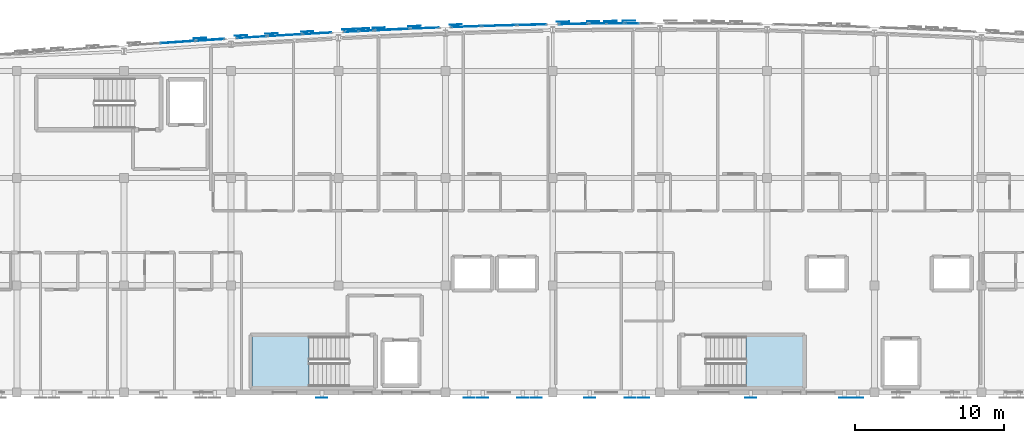
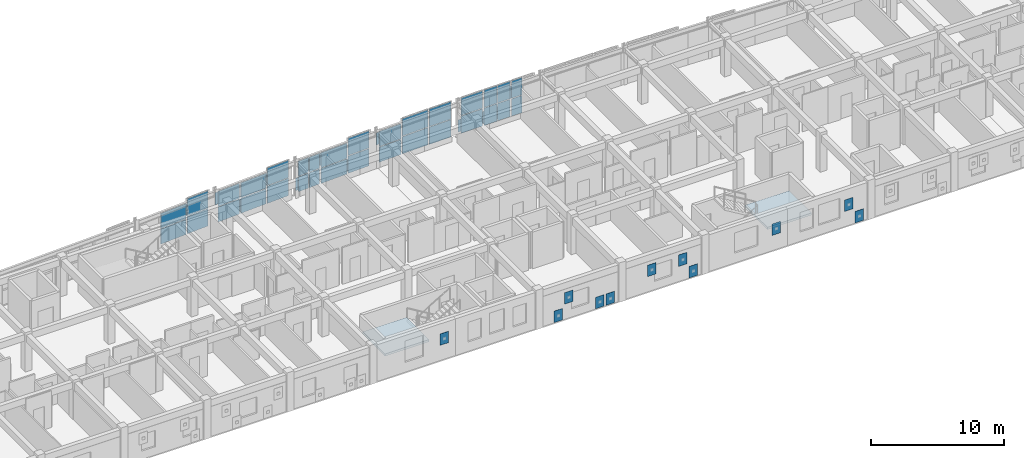
# One storey, part 34 of 51: 56 plates, 2 slabs, 16 elements without a shape of their own.
"""IFC4 building model written with IfcOpenShell, lengths in metres."""

from ifc_helpers import new_model, si_unit, direction, frame, origin, origin_2d, place, context, subcontext, project, spatial, polyline, rectangle, outline, extrude, material, layer, layer_set, type_object, element, aggregate, save


model = new_model("IFC4")

# Units and contexts
model_context = context("Model", 3, precision=1e-05, world=origin(), true_north=direction((0.0, 1.0)))
body_context = subcontext(model_context, "Body", "Model", "MODEL_VIEW")
ifc_project = project(units=[si_unit("LENGTHUNIT", "METRE"), si_unit("AREAUNIT", "SQUARE_METRE"), si_unit("VOLUMEUNIT", "CUBIC_METRE"), si_unit("PLANEANGLEUNIT", "RADIAN"), si_unit("MASSUNIT", "GRAM", prefix="KILO")], contexts=[model_context])

# Site, building, storey
site_placement = place(None, origin())
site = spatial("IfcSite", under=ifc_project, at=site_placement, CompositionType="ELEMENT")
building_placement = place(site_placement, origin())
building = spatial("IfcBuilding", under=site, at=building_placement, Name="Carrowvane Square Congress Hotel", CompositionType="ELEMENT")
storey_placement = place(building_placement, frame((0.0, 0.0, 30.0)))
storey = spatial("IfcBuildingStorey", under=building, at=storey_placement, Name="L07", CompositionType="ELEMENT", Elevation=30.0)

# Curtain wall, plates
ifc_material_1 = material(Name="Anodised aluminium", Category="aluminium")
ifc_layer_1 = layer(ifc_material_1, 0.2099609375)
ifc_layer_set_1 = layer_set([ifc_layer_1], Name="Anodised aluminium")
curtain_wall_type_1 = type_object("IfcCurtainWallType", Name="CW-SYS-5", PredefinedType="NOTDEFINED", material=ifc_layer_set_1)
curtain_wall_1_placement = place(storey_placement, origin())
curtain_wall_1 = element("IfcCurtainWall", 1, at=curtain_wall_1_placement, inside=storey, type_object=curtain_wall_type_1, Name="L07 unitised curtain wall 420", PredefinedType="NOTDEFINED")
ifc_material_2 = material(Name="Double-glazed low-E glass", Category="glass")
ifc_layer_2 = layer(ifc_material_2, 0.028076171875)
ifc_layer_set_2 = layer_set([ifc_layer_2], Name="Double-glazed low-E glass")
plate_type_1 = type_object("IfcPlateType", Name="CW-PAN-1", PredefinedType="CURTAIN_PANEL", material=ifc_layer_set_2)
plate_1_placement = place(storey_placement, frame((70.580078125, 115.66064453125, 0.06005859375), z_axis=(0.0, 0.0, 1.0), x_axis=(0.998051378998, 0.062397474952, 0.0)))
plate_1 = element("IfcPlate", 2, at=plate_1_placement, type_object=plate_type_1, Name="CW-5 panel 1.1", PredefinedType="CURTAIN_PANEL", context=body_context, shape_type="SweptSolid", body=[
    extrude(rectangle(XDim=1.924072265625, YDim=0.028076171875, at=origin_2d()), origin(), (0.0, 0.0, 1.0), 1.377685546875),
])
plate_2_placement = place(storey_placement, frame((70.580078125, 115.66064453125, 1.498046875), z_axis=(0.0, 0.0, 1.0), x_axis=(0.998051378998, 0.062397474952, 0.0)))
plate_2 = element("IfcPlate", 3, at=plate_2_placement, type_object=plate_type_1, Name="CW-5 panel 1.2", PredefinedType="CURTAIN_PANEL", context=body_context, shape_type="SweptSolid", body=[
    extrude(rectangle(XDim=1.924072265625, YDim=0.028076171875, at=origin_2d()), origin(), (0.0, 0.0, 1.0), 1.377685546875),
])
aggregate(curtain_wall_1, [plate_1, plate_2])

ifc_material_3 = material(Name="Anodised aluminium", Category="aluminium")
ifc_layer_3 = layer(ifc_material_3, 0.174072265625)
ifc_layer_set_3 = layer_set([ifc_layer_3], Name="Anodised aluminium")
curtain_wall_type_2 = type_object("IfcCurtainWallType", Name="CW-SYS-2", PredefinedType="NOTDEFINED", material=ifc_layer_set_3)
curtain_wall_2_placement = place(storey_placement, origin())
curtain_wall_2 = element("IfcCurtainWall", 4, at=curtain_wall_2_placement, inside=storey, type_object=curtain_wall_type_2, Name="L07 unitised curtain wall 425", PredefinedType="NOTDEFINED")
plate_3_placement = place(storey_placement, frame((82.200439453125, 116.267822265625, 0.06982421875), z_axis=(0.0, 0.0, 1.0), x_axis=(0.999194236464, 0.040135742379, 0.0)))
plate_3 = element("IfcPlate", 5, at=plate_3_placement, type_object=plate_type_1, Name="CW-2 panel 1.1", PredefinedType="CURTAIN_PANEL", context=body_context, shape_type="SweptSolid", body=[
    extrude(rectangle(XDim=1.86279296875, YDim=0.028076171875, at=origin_2d()), origin(), (0.0, 0.0, 1.0), 1.574951171875),
])
plate_4_placement = place(storey_placement, frame((82.200439453125, 116.267822265625, 1.71484375), z_axis=(0.0, 0.0, 1.0), x_axis=(0.999194236464, 0.040135742379, 0.0)))
plate_4 = element("IfcPlate", 6, at=plate_4_placement, type_object=plate_type_1, Name="CW-2 panel 1.2", PredefinedType="CURTAIN_PANEL", context=body_context, shape_type="SweptSolid", body=[
    extrude(rectangle(XDim=1.86279296875, YDim=0.028076171875, at=origin_2d()), origin(), (0.0, 0.0, 1.0), 1.574951171875),
])
aggregate(curtain_wall_2, [plate_3, plate_4])

ifc_material_4 = material(Name="Anodised aluminium", Category="aluminium")
ifc_layer_4 = layer(ifc_material_4, 0.23388671875)
ifc_layer_set_4 = layer_set([ifc_layer_4], Name="Anodised aluminium")
curtain_wall_type_3 = type_object("IfcCurtainWallType", Name="CW-SYS-7", PredefinedType="NOTDEFINED", material=ifc_layer_set_4)
curtain_wall_3_placement = place(storey_placement, origin())
curtain_wall_3 = element("IfcCurtainWall", 7, at=curtain_wall_3_placement, inside=storey, type_object=curtain_wall_type_3, Name="L07 unitised curtain wall 430", PredefinedType="NOTDEFINED")
plate_5_placement = place(storey_placement, frame((93.81494140625, 116.57470703125, 0.06005859375), z_axis=(0.0, 0.0, 1.0), x_axis=(0.999952146231, 0.009782905924, 0.0)))
plate_5 = element("IfcPlate", 8, at=plate_5_placement, type_object=plate_type_1, Name="CW-7 panel 1.1", PredefinedType="CURTAIN_PANEL", context=body_context, shape_type="SweptSolid", body=[
    extrude(rectangle(XDim=1.110107421875, YDim=0.028076171875, at=origin_2d()), origin(), (0.0, 0.0, 1.0), 1.590087890625),
])
plate_6_placement = place(storey_placement, frame((93.81494140625, 116.57470703125, 1.7099609375), z_axis=(0.0, 0.0, 1.0), x_axis=(0.999952146231, 0.009782905924, 0.0)))
plate_6 = element("IfcPlate", 9, at=plate_6_placement, type_object=plate_type_1, Name="CW-7 panel 1.2", PredefinedType="CURTAIN_PANEL", context=body_context, shape_type="SweptSolid", body=[
    extrude(rectangle(XDim=1.110107421875, YDim=0.028076171875, at=origin_2d()), origin(), (0.0, 0.0, 1.0), 1.590087890625),
])
plate_7_placement = place(storey_placement, frame((94.985107421875, 116.586181640625, 0.06005859375), z_axis=(0.0, 0.0, 1.0), x_axis=(0.999952146231, 0.009782905924, 0.0)))
plate_7 = element("IfcPlate", 10, at=plate_7_placement, type_object=plate_type_1, Name="CW-7 panel 2.1", PredefinedType="CURTAIN_PANEL", context=body_context, shape_type="SweptSolid", body=[
    extrude(rectangle(XDim=1.110107421875, YDim=0.028076171875, at=origin_2d()), origin(), (0.0, 0.0, 1.0), 1.590087890625),
])
plate_8_placement = place(storey_placement, frame((94.985107421875, 116.586181640625, 1.7099609375), z_axis=(0.0, 0.0, 1.0), x_axis=(0.999952146231, 0.009782905924, 0.0)))
plate_8 = element("IfcPlate", 11, at=plate_8_placement, type_object=plate_type_1, Name="CW-7 panel 2.2", PredefinedType="CURTAIN_PANEL", context=body_context, shape_type="SweptSolid", body=[
    extrude(rectangle(XDim=1.110107421875, YDim=0.028076171875, at=origin_2d()), origin(), (0.0, 0.0, 1.0), 1.590087890625),
])
aggregate(curtain_wall_3, [plate_5, plate_6, plate_7, plate_8])

ifc_material_5 = material(Name="Anodised aluminium", Category="aluminium")
ifc_layer_5 = layer(ifc_material_5, 0.221923828125)
ifc_layer_set_5 = layer_set([ifc_layer_5], Name="Anodised aluminium")
curtain_wall_type_4 = type_object("IfcCurtainWallType", Name="CW-SYS-6", PredefinedType="NOTDEFINED", material=ifc_layer_set_5)
curtain_wall_4_placement = place(storey_placement, origin())
curtain_wall_4 = element("IfcCurtainWall", 12, at=curtain_wall_4_placement, inside=storey, type_object=curtain_wall_type_4, Name="L07 unitised curtain wall 421", PredefinedType="NOTDEFINED")
ifc_material_6 = material(Name="Double-glazed low-E glass", Category="glass")
ifc_layer_6 = layer(ifc_material_6, 0.031982421875)
ifc_layer_set_6 = layer_set([ifc_layer_6], Name="Double-glazed low-E glass")
plate_type_2 = type_object("IfcPlateType", Name="CW-PAN-2", PredefinedType="CURTAIN_PANEL", material=ifc_layer_set_6)
plate_9_placement = place(storey_placement, frame((72.800048828125, 115.795166015625, 0.070068359375), z_axis=(0.0, 0.0, 1.0), x_axis=(0.998266763162, 0.058851249486, 0.0)))
plate_9 = element("IfcPlate", 13, at=plate_9_placement, type_object=plate_type_2, Name="CW-6 panel 1.1", PredefinedType="CURTAIN_PANEL", context=body_context, shape_type="SweptSolid", body=[
    extrude(rectangle(XDim=2.26416015625, YDim=0.031982421875, at=origin_2d()), origin(), (0.0, 0.0, 1.0), 1.36279296875),
])
plate_10_placement = place(storey_placement, frame((72.800048828125, 115.795166015625, 1.502685546875), z_axis=(0.0, 0.0, 1.0), x_axis=(0.998266763162, 0.058851249486, 0.0)))
plate_10 = element("IfcPlate", 14, at=plate_10_placement, type_object=plate_type_2, Name="CW-6 panel 1.2", PredefinedType="CURTAIN_PANEL", context=body_context, shape_type="SweptSolid", body=[
    extrude(rectangle(XDim=2.26416015625, YDim=0.031982421875, at=origin_2d()), origin(), (0.0, 0.0, 1.0), 1.36279296875),
])
aggregate(curtain_wall_4, [plate_9, plate_10])

ifc_material_7 = material(Name="Anodised aluminium", Category="aluminium")
ifc_layer_7 = layer(ifc_material_7, 0.18603515625)
ifc_layer_set_7 = layer_set([ifc_layer_7], Name="Anodised aluminium")
curtain_wall_type_5 = type_object("IfcCurtainWallType", Name="CW-SYS-3", PredefinedType="NOTDEFINED", material=ifc_layer_set_7)
curtain_wall_5_placement = place(storey_placement, origin())
curtain_wall_5 = element("IfcCurtainWall", 15, at=curtain_wall_5_placement, inside=storey, type_object=curtain_wall_type_5, Name="L07 unitised curtain wall 426", PredefinedType="NOTDEFINED")
plate_11_placement = place(storey_placement, frame((84.9853515625, 116.371826171875, 0.06005859375), z_axis=(0.0, 0.0, 1.0), x_axis=(0.999403774749, 0.034526729036, 0.0)))
plate_11 = element("IfcPlate", 16, at=plate_11_placement, type_object=plate_type_2, Name="CW-3 panel 1.1", PredefinedType="CURTAIN_PANEL", context=body_context, shape_type="SweptSolid", body=[
    extrude(rectangle(XDim=1.91064453125, YDim=0.031982421875, at=origin_2d()), origin(), (0.0, 0.0, 1.0), 1.377685546875),
])
plate_12_placement = place(storey_placement, frame((84.9853515625, 116.371826171875, 1.498046875), z_axis=(0.0, 0.0, 1.0), x_axis=(0.999403774749, 0.034526729036, 0.0)))
plate_12 = element("IfcPlate", 17, at=plate_12_placement, type_object=plate_type_2, Name="CW-3 panel 1.2", PredefinedType="CURTAIN_PANEL", context=body_context, shape_type="SweptSolid", body=[
    extrude(rectangle(XDim=1.91064453125, YDim=0.031982421875, at=origin_2d()), origin(), (0.0, 0.0, 1.0), 1.377685546875),
])
aggregate(curtain_wall_5, [plate_11, plate_12])

ifc_material_8 = material(Name="Anodised aluminium", Category="aluminium")
ifc_layer_8 = layer(ifc_material_8, 0.24609375)
ifc_layer_set_8 = layer_set([ifc_layer_8], Name="Anodised aluminium")
curtain_wall_type_6 = type_object("IfcCurtainWallType", Name="CW-SYS-8", PredefinedType="NOTDEFINED", material=ifc_layer_set_8)
curtain_wall_6_placement = place(storey_placement, origin())
curtain_wall_6 = element("IfcCurtainWall", 18, at=curtain_wall_6_placement, inside=storey, type_object=curtain_wall_type_6, Name="L07 unitised curtain wall 431", PredefinedType="NOTDEFINED")
plate_13_placement = place(storey_placement, frame((96.121337890625, 116.59375, 0.06982421875), z_axis=(0.0, 0.0, 1.0), x_axis=(0.999994652529, 0.003270307911, 0.0)))
plate_13 = element("IfcPlate", 19, at=plate_13_placement, type_object=plate_type_2, Name="CW-8 panel 1.1", PredefinedType="CURTAIN_PANEL", context=body_context, shape_type="SweptSolid", body=[
    extrude(rectangle(XDim=0.902587890625, YDim=0.031982421875, at=origin_2d()), origin(), (0.0, 0.0, 1.0), 1.574951171875),
])
plate_14_placement = place(storey_placement, frame((96.121337890625, 116.59375, 1.71484375), z_axis=(0.0, 0.0, 1.0), x_axis=(0.999994652529, 0.003270307911, 0.0)))
plate_14 = element("IfcPlate", 20, at=plate_14_placement, type_object=plate_type_2, Name="CW-8 panel 1.2", PredefinedType="CURTAIN_PANEL", context=body_context, shape_type="SweptSolid", body=[
    extrude(rectangle(XDim=0.902587890625, YDim=0.031982421875, at=origin_2d()), origin(), (0.0, 0.0, 1.0), 1.574951171875),
])
aggregate(curtain_wall_6, [plate_13, plate_14])

curtain_wall_7_placement = place(storey_placement, origin())
curtain_wall_7 = element("IfcCurtainWall", 21, at=curtain_wall_7_placement, inside=storey, type_object=curtain_wall_type_3, Name="L07 unitised curtain wall 422", PredefinedType="NOTDEFINED")
ifc_material_9 = material(Name="Double-glazed low-E glass", Category="glass")
ifc_layer_9 = layer(ifc_material_9, 0.035888671875)
ifc_layer_set_9 = layer_set([ifc_layer_9], Name="Double-glazed low-E glass")
plate_type_3 = type_object("IfcPlateType", Name="CW-PAN-3", PredefinedType="CURTAIN_PANEL", material=ifc_layer_set_9)
plate_15_placement = place(storey_placement, frame((74.997802734375, 115.920654296875, 0.06005859375), z_axis=(0.0, 0.0, 1.0), x_axis=(0.998496473856, 0.054815980317, 0.0)))
plate_15 = element("IfcPlate", 22, at=plate_15_placement, type_object=plate_type_3, Name="CW-7 panel 1.1", PredefinedType="CURTAIN_PANEL", context=body_context, shape_type="SweptSolid", body=[
    extrude(rectangle(XDim=1.87841796875, YDim=0.035888671875, at=origin_2d()), origin(), (0.0, 0.0, 1.0), 1.590087890625),
])
plate_16_placement = place(storey_placement, frame((74.997802734375, 115.920654296875, 1.7099609375), z_axis=(0.0, 0.0, 1.0), x_axis=(0.998496473856, 0.054815980317, 0.0)))
plate_16 = element("IfcPlate", 23, at=plate_16_placement, type_object=plate_type_3, Name="CW-7 panel 1.2", PredefinedType="CURTAIN_PANEL", context=body_context, shape_type="SweptSolid", body=[
    extrude(rectangle(XDim=1.87841796875, YDim=0.035888671875, at=origin_2d()), origin(), (0.0, 0.0, 1.0), 1.590087890625),
])
aggregate(curtain_wall_7, [plate_15, plate_16])

ifc_material_10 = material(Name="Anodised aluminium", Category="aluminium")
ifc_layer_10 = layer(ifc_material_10, 0.197998046875)
ifc_layer_set_10 = layer_set([ifc_layer_10], Name="Anodised aluminium")
curtain_wall_type_7 = type_object("IfcCurtainWallType", Name="CW-SYS-4", PredefinedType="NOTDEFINED", material=ifc_layer_set_10)
curtain_wall_8_placement = place(storey_placement, origin())
curtain_wall_8 = element("IfcCurtainWall", 24, at=curtain_wall_8_placement, inside=storey, type_object=curtain_wall_type_7, Name="L07 unitised curtain wall 427", PredefinedType="NOTDEFINED")
plate_17_placement = place(storey_placement, frame((87.199951171875, 116.44140625, 0.06982421875), z_axis=(0.0, 0.0, 1.0), x_axis=(0.999589848065, 0.028638010501, 0.0)))
plate_17 = element("IfcPlate", 25, at=plate_17_placement, type_object=plate_type_3, Name="CW-4 panel 1.1", PredefinedType="CURTAIN_PANEL", context=body_context, shape_type="SweptSolid", body=[
    extrude(rectangle(XDim=2.260986328125, YDim=0.035888671875, at=origin_2d()), origin(), (0.0, 0.0, 1.0), 1.574951171875),
])
plate_18_placement = place(storey_placement, frame((87.199951171875, 116.44140625, 1.71484375), z_axis=(0.0, 0.0, 1.0), x_axis=(0.999589848065, 0.028638010501, 0.0)))
plate_18 = element("IfcPlate", 26, at=plate_18_placement, type_object=plate_type_3, Name="CW-4 panel 1.2", PredefinedType="CURTAIN_PANEL", context=body_context, shape_type="SweptSolid", body=[
    extrude(rectangle(XDim=2.260986328125, YDim=0.035888671875, at=origin_2d()), origin(), (0.0, 0.0, 1.0), 1.574951171875),
])
aggregate(curtain_wall_8, [plate_17, plate_18])

curtain_wall_9_placement = place(storey_placement, origin())
curtain_wall_9 = element("IfcCurtainWall", 27, at=curtain_wall_9_placement, inside=storey, type_object=curtain_wall_type_5, Name="L07 unitised curtain wall 418", PredefinedType="NOTDEFINED")
ifc_material_11 = material(Name="Double-glazed low-E glass", Category="glass")
ifc_layer_11 = layer(ifc_material_11, 0.0419921875)
ifc_layer_set_11 = layer_set([ifc_layer_11], Name="Double-glazed low-E glass")
plate_type_4 = type_object("IfcPlateType", Name="CW-PAN-4", PredefinedType="CURTAIN_PANEL", material=ifc_layer_set_11)
plate_19_placement = place(storey_placement, frame((65.599853515625, 115.33544921875, 0.06005859375), z_axis=(0.0, 0.0, 1.0), x_axis=(0.997694484404, 0.067865424104, 0.0)))
plate_19 = element("IfcPlate", 28, at=plate_19_placement, type_object=plate_type_4, Name="CW-3 panel 1.1", PredefinedType="CURTAIN_PANEL", context=body_context, shape_type="SweptSolid", body=[
    extrude(rectangle(XDim=2.285400390625, YDim=0.0419921875, at=origin_2d()), origin(), (0.0, 0.0, 1.0), 1.377685546875),
])
plate_20_placement = place(storey_placement, frame((65.599853515625, 115.33544921875, 1.498046875), z_axis=(0.0, 0.0, 1.0), x_axis=(0.997694484404, 0.067865424104, 0.0)))
plate_20 = element("IfcPlate", 29, at=plate_20_placement, type_object=plate_type_4, Name="CW-3 panel 1.2", PredefinedType="CURTAIN_PANEL", context=body_context, shape_type="SweptSolid", body=[
    extrude(rectangle(XDim=2.285400390625, YDim=0.0419921875, at=origin_2d()), origin(), (0.0, 0.0, 1.0), 1.377685546875),
])
aggregate(curtain_wall_9, [plate_19, plate_20])

curtain_wall_10_placement = place(storey_placement, origin())
curtain_wall_10 = element("IfcCurtainWall", 30, at=curtain_wall_10_placement, inside=storey, type_object=curtain_wall_type_6, Name="L07 unitised curtain wall 423", PredefinedType="NOTDEFINED")
plate_21_placement = place(storey_placement, frame((77.290771484375, 116.04248046875, 0.070068359375), z_axis=(0.0, 0.0, 1.0), x_axis=(0.998732955299, 0.050323791596, 0.0)))
plate_21 = element("IfcPlate", 31, at=plate_21_placement, type_object=plate_type_4, Name="CW-8 panel 1.1", PredefinedType="CURTAIN_PANEL", context=body_context, shape_type="SweptSolid", body=[
    extrude(rectangle(XDim=0.9140625, YDim=0.0419921875, at=origin_2d()), origin(), (0.0, 0.0, 1.0), 1.36279296875),
])
plate_22_placement = place(storey_placement, frame((77.290771484375, 116.04248046875, 1.502685546875), z_axis=(0.0, 0.0, 1.0), x_axis=(0.998732955299, 0.050323791596, 0.0)))
plate_22 = element("IfcPlate", 32, at=plate_22_placement, type_object=plate_type_4, Name="CW-8 panel 1.2", PredefinedType="CURTAIN_PANEL", context=body_context, shape_type="SweptSolid", body=[
    extrude(rectangle(XDim=0.9140625, YDim=0.0419921875, at=origin_2d()), origin(), (0.0, 0.0, 1.0), 1.36279296875),
])
plate_23_placement = place(storey_placement, frame((78.273681640625, 116.092041015625, 0.070068359375), z_axis=(0.0, 0.0, 1.0), x_axis=(0.998732955299, 0.050323791596, 0.0)))
plate_23 = element("IfcPlate", 33, at=plate_23_placement, type_object=plate_type_4, Name="CW-8 panel 2.1", PredefinedType="CURTAIN_PANEL", context=body_context, shape_type="SweptSolid", body=[
    extrude(rectangle(XDim=0.9140625, YDim=0.0419921875, at=origin_2d()), origin(), (0.0, 0.0, 1.0), 1.36279296875),
])
plate_24_placement = place(storey_placement, frame((78.273681640625, 116.092041015625, 1.502685546875), z_axis=(0.0, 0.0, 1.0), x_axis=(0.998732955299, 0.050323791596, 0.0)))
plate_24 = element("IfcPlate", 34, at=plate_24_placement, type_object=plate_type_4, Name="CW-8 panel 2.2", PredefinedType="CURTAIN_PANEL", context=body_context, shape_type="SweptSolid", body=[
    extrude(rectangle(XDim=0.9140625, YDim=0.0419921875, at=origin_2d()), origin(), (0.0, 0.0, 1.0), 1.36279296875),
])
aggregate(curtain_wall_10, [plate_21, plate_22, plate_23, plate_24])

curtain_wall_11_placement = place(storey_placement, origin())
curtain_wall_11 = element("IfcCurtainWall", 35, at=curtain_wall_11_placement, inside=storey, type_object=curtain_wall_type_1, Name="L07 unitised curtain wall 428", PredefinedType="NOTDEFINED")
plate_25_placement = place(storey_placement, frame((89.40380859375, 116.498291015625, 0.06005859375), z_axis=(0.0, 0.0, 1.0), x_axis=(0.99974644475, 0.022517686606, 0.0)))
plate_25 = element("IfcPlate", 36, at=plate_25_placement, type_object=plate_type_4, Name="CW-5 panel 1.1", PredefinedType="CURTAIN_PANEL", context=body_context, shape_type="SweptSolid", body=[
    extrude(rectangle(XDim=1.88818359375, YDim=0.0419921875, at=origin_2d()), origin(), (0.0, 0.0, 1.0), 1.590087890625),
])
plate_26_placement = place(storey_placement, frame((89.40380859375, 116.498291015625, 1.7099609375), z_axis=(0.0, 0.0, 1.0), x_axis=(0.99974644475, 0.022517686606, 0.0)))
plate_26 = element("IfcPlate", 37, at=plate_26_placement, type_object=plate_type_4, Name="CW-5 panel 1.2", PredefinedType="CURTAIN_PANEL", context=body_context, shape_type="SweptSolid", body=[
    extrude(rectangle(XDim=1.88818359375, YDim=0.0419921875, at=origin_2d()), origin(), (0.0, 0.0, 1.0), 1.590087890625),
])
aggregate(curtain_wall_11, [plate_25, plate_26])

curtain_wall_12_placement = place(storey_placement, origin())
curtain_wall_12 = element("IfcCurtainWall", 38, at=curtain_wall_12_placement, inside=storey, type_object=curtain_wall_type_7, Name="L07 unitised curtain wall 419", PredefinedType="NOTDEFINED")
ifc_material_12 = material(Name="Double-glazed low-E glass", Category="glass")
ifc_layer_12 = layer(ifc_material_12, 0.048095703125)
ifc_layer_set_12 = layer_set([ifc_layer_12], Name="Double-glazed low-E glass")
plate_type_5 = type_object("IfcPlateType", Name="CW-PAN-5", PredefinedType="CURTAIN_PANEL", material=ifc_layer_set_12)
plate_27_placement = place(storey_placement, frame((67.795654296875, 115.482177734375, 0.06982421875), z_axis=(0.0, 0.0, 1.0), x_axis=(0.997858327155, 0.065412223074, 0.0)))
plate_27 = element("IfcPlate", 39, at=plate_27_placement, type_object=plate_type_5, Name="CW-4 panel 1.1", PredefinedType="CURTAIN_PANEL", context=body_context, shape_type="SweptSolid", body=[
    extrude(rectangle(XDim=1.855712890625, YDim=0.048095703125, at=origin_2d()), origin(), (0.0, 0.0, 1.0), 1.574951171875),
])
plate_28_placement = place(storey_placement, frame((67.795654296875, 115.482177734375, 1.71484375), z_axis=(0.0, 0.0, 1.0), x_axis=(0.997858327155, 0.065412223074, 0.0)))
plate_28 = element("IfcPlate", 40, at=plate_28_placement, type_object=plate_type_5, Name="CW-4 panel 1.2", PredefinedType="CURTAIN_PANEL", context=body_context, shape_type="SweptSolid", body=[
    extrude(rectangle(XDim=1.855712890625, YDim=0.048095703125, at=origin_2d()), origin(), (0.0, 0.0, 1.0), 1.574951171875),
])
aggregate(curtain_wall_12, [plate_27, plate_28])

ifc_material_13 = material(Name="Anodised aluminium", Category="aluminium")
ifc_layer_13 = layer(ifc_material_13, 0.162109375)
ifc_layer_set_13 = layer_set([ifc_layer_13], Name="Anodised aluminium")
curtain_wall_type_8 = type_object("IfcCurtainWallType", Name="CW-SYS-1", PredefinedType="NOTDEFINED", material=ifc_layer_set_13)
curtain_wall_13_placement = place(storey_placement, origin())
curtain_wall_13 = element("IfcCurtainWall", 41, at=curtain_wall_13_placement, inside=storey, type_object=curtain_wall_type_8, Name="L07 unitised curtain wall 424", PredefinedType="NOTDEFINED")
plate_29_placement = place(storey_placement, frame((80.0, 116.173095703125, 0.06005859375), z_axis=(0.0, 0.0, 1.0), x_axis=(0.998968385726, 0.045411059449, 0.0)))
plate_29 = element("IfcPlate", 42, at=plate_29_placement, type_object=plate_type_5, Name="CW-1 panel 1.1", PredefinedType="CURTAIN_PANEL", context=body_context, shape_type="SweptSolid", body=[
    extrude(rectangle(XDim=2.282470703125, YDim=0.048095703125, at=origin_2d()), origin(), (0.0, 0.0, 1.0), 1.377685546875),
])
plate_30_placement = place(storey_placement, frame((80.0, 116.173095703125, 1.498046875), z_axis=(0.0, 0.0, 1.0), x_axis=(0.998968385726, 0.045411059449, 0.0)))
plate_30 = element("IfcPlate", 43, at=plate_30_placement, type_object=plate_type_5, Name="CW-1 panel 1.2", PredefinedType="CURTAIN_PANEL", context=body_context, shape_type="SweptSolid", body=[
    extrude(rectangle(XDim=2.282470703125, YDim=0.048095703125, at=origin_2d()), origin(), (0.0, 0.0, 1.0), 1.377685546875),
])
aggregate(curtain_wall_13, [plate_29, plate_30])

curtain_wall_14_placement = place(storey_placement, origin())
curtain_wall_14 = element("IfcCurtainWall", 44, at=curtain_wall_14_placement, inside=storey, type_object=curtain_wall_type_4, Name="L07 unitised curtain wall 429", PredefinedType="NOTDEFINED")
plate_31_placement = place(storey_placement, frame((92.188720703125, 116.55224609375, 0.06982421875), z_axis=(0.0, 0.0, 1.0), x_axis=(0.99986851233, 0.016215981364, 0.0)))
plate_31 = element("IfcPlate", 45, at=plate_31_placement, type_object=plate_type_5, Name="CW-6 panel 1.1", PredefinedType="CURTAIN_PANEL", context=body_context, shape_type="SweptSolid", body=[
    extrude(rectangle(XDim=1.8828125, YDim=0.048095703125, at=origin_2d()), origin(), (0.0, 0.0, 1.0), 1.574951171875),
])
plate_32_placement = place(storey_placement, frame((92.188720703125, 116.55224609375, 1.71484375), z_axis=(0.0, 0.0, 1.0), x_axis=(0.99986851233, 0.016215981364, 0.0)))
plate_32 = element("IfcPlate", 46, at=plate_32_placement, type_object=plate_type_5, Name="CW-6 panel 1.2", PredefinedType="CURTAIN_PANEL", context=body_context, shape_type="SweptSolid", body=[
    extrude(rectangle(XDim=1.8828125, YDim=0.048095703125, at=origin_2d()), origin(), (0.0, 0.0, 1.0), 1.574951171875),
])
aggregate(curtain_wall_14, [plate_31, plate_32])

# Plates
ifc_material_14 = material(Name="Champagne-gold anodised aluminium", Category="aluminium")
ifc_layer_14 = layer(ifc_material_14, 0.011962890625)
ifc_layer_set_14 = layer_set([ifc_layer_14], Name="Champagne-gold anodised aluminium")
plate_type_6 = type_object("IfcPlateType", Name="PLT-PIX-GOLD12", PredefinedType="SHEET", material=ifc_layer_set_14)
for number, where, z_axis, x_axis, name in (
    (47, (67.11328125, 115.603759765625, 1.58984375), (0.0, 0.0, 1.0), (0.99785825325, 0.065413350476, 0.0), "Champagne-gold pixel screen plate 653"),
    (48, (71.91455078125, 115.9091796875, 0.119873046875), (0.0, 0.0, 1.0), (0.998266695506, 0.05885239709, 0.0), "Champagne-gold pixel screen plate 655"),
    (49, (77.08056640625, 116.197998046875, 0.119873046875), (0.0, 0.0, 1.0), (0.998733066647, 0.050321581706, 0.0), "Champagne-gold pixel screen plate 657"),
    (50, (78.063232421875, 116.24755859375, 1.58984375), (0.0, 0.0, 1.0), (0.998733066647, 0.050321581706, 0.0), "Champagne-gold pixel screen plate 658"),
    (51, (81.517822265625, 116.406494140625, 0.119873046875), (0.0, 0.0, 1.0), (0.999194294234, 0.040134304148, 0.0), "Champagne-gold pixel screen plate 660"),
    (52, (91.49951171875, 116.70703125, 0.119873046875), (0.0, 0.0, 1.0), (0.999868508772, 0.016216200758, 0.0), "Champagne-gold pixel screen plate 662"),
    (53, (95.92431640625, 116.75927734375, 1.58984375), (0.0, 0.0, 1.0), (0.999994654955, 0.003269565853, 0.0), "Champagne-gold pixel screen plate 665"),
):
    element("IfcPlate", number, at=place(storey_placement, frame(where, z_axis=z_axis, x_axis=x_axis)), inside=storey, type_object=plate_type_6, Name=name, PredefinedType="SHEET", context=body_context, shape_type="SweptSolid", body=[
        extrude(rectangle(XDim=0.827880859375, YDim=0.011962890625, at=origin_2d()), origin(), (0.0, 0.0, 1.0), 1.1201171875),
    ])
for number, where, z_axis, x_axis, name in (
    (54, (111.300048828125, 91.4541015625, 0.15478515625), (0.0, 0.0, 1.0), (-1.0, 0.0, 0.0), "Champagne-gold pixel screen plate S-724"),
    (55, (110.39990234375, 91.4541015625, 1.52490234375), (0.0, 0.0, 1.0), (-1.0, 0.0, 0.0), "Champagne-gold pixel screen plate S-725"),
    (56, (96.89990234375, 91.4541015625, 0.15478515625), (0.0, 0.0, 1.0), (-1.0, 0.0, 0.0), "Champagne-gold pixel screen plate S-727"),
    (57, (96.0, 91.4541015625, 1.52490234375), (0.0, 0.0, 1.0), (-1.0, 0.0, 0.0), "Champagne-gold pixel screen plate S-728"),
    (58, (93.300048828125, 91.4541015625, 1.52490234375), (0.0, 0.0, 1.0), (-1.0, 0.0, 0.0), "Champagne-gold pixel screen plate S-729"),
):
    element("IfcPlate", number, at=place(storey_placement, frame(where, z_axis=z_axis, x_axis=x_axis)), inside=storey, type_object=plate_type_6, Name=name, PredefinedType="SHEET", context=body_context, shape_type="SweptSolid", body=[
        extrude(rectangle(XDim=0.738037109375, YDim=0.011962890625, at=origin_2d()), origin(), (0.0, 0.0, 1.0), 1.050048828125),
    ])
ifc_material_15 = material(Name="Champagne-gold anodised aluminium", Category="aluminium")
ifc_layer_15 = layer(ifc_material_15, 0.008056640625)
ifc_layer_set_15 = layer_set([ifc_layer_15], Name="Champagne-gold anodised aluminium")
plate_type_7 = type_object("IfcPlateType", Name="PLT-PIX-GOLD8", PredefinedType="SHEET", material=ifc_layer_set_15)
for number, where, z_axis, x_axis, name in (
    (59, (69.868896484375, 115.780517578125, 1.58984375), (0.0, 0.0, 1.0), (0.998051413269, 0.062396926785, 0.0), "Champagne-gold pixel screen plate 654"),
    (60, (74.310302734375, 116.047119140625, 1.58984375), (0.0, 0.0, 1.0), (0.998496552462, 0.054814548441, 0.0), "Champagne-gold pixel screen plate 656"),
    (61, (79.112060546875, 116.296875, 1.58984375), (0.0, 0.0, 1.0), (0.998968255262, 0.045413929349, 0.0), "Champagne-gold pixel screen plate 659"),
    (62, (84.284423828125, 116.51171875, 1.58984375), (0.0, 0.0, 1.0), (0.999403768784, 0.034526901703, 0.0), "Champagne-gold pixel screen plate 661"),
    (63, (93.51806640625, 116.73583984375, 0.119873046875), (0.0, 0.0, 1.0), (0.999952150705, 0.009782448565, 0.0), "Champagne-gold pixel screen plate 663"),
    (64, (94.688232421875, 116.747314453125, 0.119873046875), (0.0, 0.0, 1.0), (0.999952150705, 0.009782448565, 0.0), "Champagne-gold pixel screen plate 664"),
):
    element("IfcPlate", number, at=place(storey_placement, frame(where, z_axis=z_axis, x_axis=x_axis)), inside=storey, type_object=plate_type_7, Name=name, PredefinedType="SHEET", context=body_context, shape_type="SweptSolid", body=[
        extrude(rectangle(XDim=0.827880859375, YDim=0.008056640625, at=origin_2d()), origin(), (0.0, 0.0, 1.0), 1.1201171875),
    ])
for number, where, z_axis, x_axis, name in (
    (65, (104.10009765625, 91.4560546875, 1.52490234375), (0.0, 0.0, 1.0), (-1.0, 0.0, 0.0), "Champagne-gold pixel screen plate S-726"),
    (66, (89.699951171875, 91.4560546875, 0.15478515625), (0.0, 0.0, 1.0), (-1.0, 0.0, 0.0), "Champagne-gold pixel screen plate S-730"),
    (67, (88.800048828125, 91.4560546875, 0.15478515625), (0.0, 0.0, 1.0), (-1.0, 0.0, 0.0), "Champagne-gold pixel screen plate S-731"),
    (68, (86.10009765625, 91.4560546875, 1.52490234375), (0.0, 0.0, 1.0), (-1.0, 0.0, 0.0), "Champagne-gold pixel screen plate S-732"),
    (69, (85.199951171875, 91.4560546875, 0.15478515625), (0.0, 0.0, 1.0), (-1.0, 0.0, 0.0), "Champagne-gold pixel screen plate S-733"),
    (70, (75.300048828125, 91.4560546875, 1.52490234375), (0.0, 0.0, 1.0), (-1.0, 0.0, 0.0), "Champagne-gold pixel screen plate S-734"),
):
    element("IfcPlate", number, at=place(storey_placement, frame(where, z_axis=z_axis, x_axis=x_axis)), inside=storey, type_object=plate_type_7, Name=name, PredefinedType="SHEET", context=body_context, shape_type="SweptSolid", body=[
        extrude(rectangle(XDim=0.738037109375, YDim=0.008056640625, at=origin_2d()), origin(), (0.0, 0.0, 1.0), 1.050048828125),
    ])

# Stair, slab
ifc_material_16 = material(Name="Concrete C35/45", Category="concrete")
stair_type = type_object("IfcStairType", Name="STR-DOG-02", PredefinedType="HALF_TURN_STAIR", material=ifc_material_16)
stair_1_placement = place(storey_placement, origin())
stair_1 = element("IfcStair", 71, at=stair_1_placement, inside=storey, type_object=stair_type, Name="L07 Core C2 Central Hotel Firefighting Stair", PredefinedType="HALF_TURN_STAIR")
ifc_material_17 = material(Name="Concrete C35/45", Category="concrete")
ifc_layer_16 = layer(ifc_material_17, 0.199951171875)
ifc_layer_set_16 = layer_set([ifc_layer_16], Name="Concrete C35/45")
slab_type = type_object("IfcSlabType", Name="SLB-LND-200", PredefinedType="LANDING", material=ifc_layer_set_16)
slab_1_placement = place(storey_placement, frame((0.0, 0.0, 1.60009765625)))
slab_1 = element("IfcSlab", 72, at=slab_1_placement, type_object=slab_type, Name="ST2 landing 1", PredefinedType="LANDING", context=body_context, shape_type="SweptSolid", body=[
    extrude(outline(polyline([(74.419921875, 95.56005859375), (70.60009765625, 95.56005859375), (70.60009765625, 92.199951171875), (74.419921875, 92.199951171875), (74.419921875, 95.56005859375)])), origin(), (0.0, 0.0, 1.0), 0.199951171875),
])
aggregate(stair_1, [slab_1])

stair_2_placement = place(storey_placement, origin())
stair_2 = element("IfcStair", 73, at=stair_2_placement, inside=storey, type_object=stair_type, Name="L07 Core C3 East Hotel Escape Stair", PredefinedType="HALF_TURN_STAIR")
slab_2_placement = place(storey_placement, frame((0.0, 0.0, 1.60009765625)))
slab_2 = element("IfcSlab", 74, at=slab_2_placement, type_object=slab_type, Name="ST3 landing 1", PredefinedType="LANDING", context=body_context, shape_type="SweptSolid", body=[
    extrude(outline(polyline([(103.780029296875, 92.199951171875), (107.60009765625, 92.199951171875), (107.60009765625, 95.56005859375), (103.780029296875, 95.56005859375), (103.780029296875, 92.199951171875)])), origin(), (0.0, 0.0, 1.0), 0.199951171875),
])
aggregate(stair_2, [slab_2])

save(model, "model.ifc")
